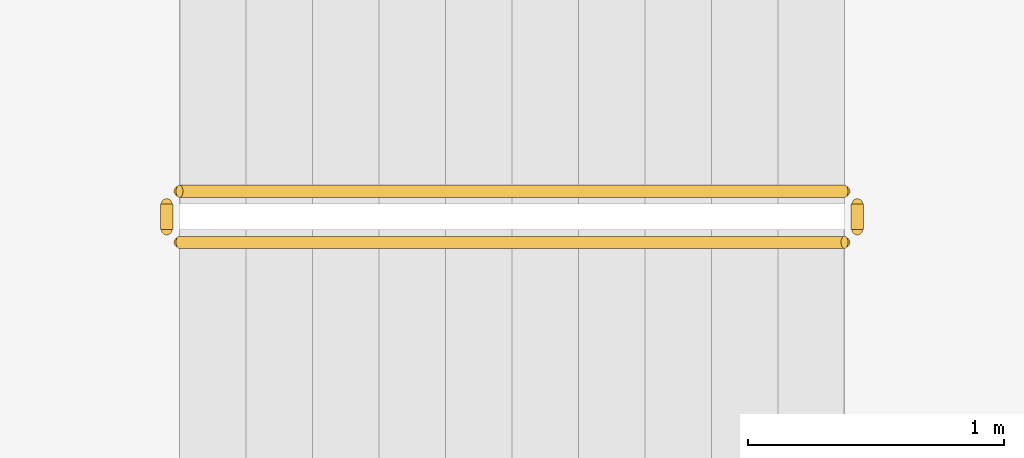
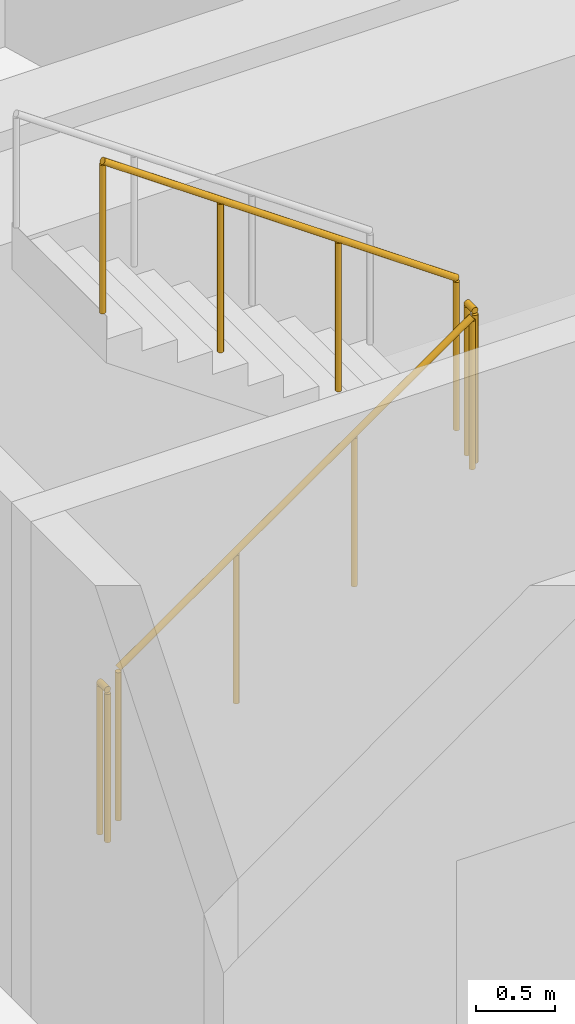
# One storey, part 19 of 23: 4 railings.
"""IFC4 building model written with IfcOpenShell, lengths in metres."""

from ifc_helpers import new_model, si_unit, direction, frame, origin, origin_2d, place, context, subcontext, project, spatial, circle, extrude, material, type_object, element, save


model = new_model("IFC4")

# Units and contexts
model_context = context("Model", 3, precision=1e-05, world=origin(), true_north=direction((0.0, 1.0)))
body_context = subcontext(model_context, "Body", "Model", "MODEL_VIEW")
ifc_project = project(units=[si_unit("LENGTHUNIT", "METRE"), si_unit("AREAUNIT", "SQUARE_METRE"), si_unit("VOLUMEUNIT", "CUBIC_METRE"), si_unit("PLANEANGLEUNIT", "RADIAN"), si_unit("MASSUNIT", "GRAM", prefix="KILO")], contexts=[model_context])

# Site, building, storey
site_placement = place(None, origin())
site = spatial("IfcSite", under=ifc_project, at=site_placement, CompositionType="ELEMENT")
building_placement = place(site_placement, origin())
building = spatial("IfcBuilding", under=site, at=building_placement, Name="Sahrelin Media Tower", CompositionType="ELEMENT")
storey_placement = place(building_placement, frame((0.0, 0.0, 157.60009765625)))
storey = spatial("IfcBuildingStorey", under=building, at=storey_placement, Name="L32", CompositionType="ELEMENT", Elevation=157.60009765625)

# Railings
ifc_material = material(Name="Steel S355", Category="steel")
railing_type = type_object("IfcRailingType", Name="Stair guard 1200", PredefinedType="GUARDRAIL", material=ifc_material)
railing_1_placement = place(storey_placement, frame((-7.675048828125, 5.25, 0.181640625)))
element("IfcRailing", 1, at=railing_1_placement, inside=storey, type_object=railing_type, Name="L32 ST1 stair guard 1", PredefinedType="GUARDRAIL", context=body_context, shape_type="SweptSolid", body=[
    extrude(circle(Radius=0.02392578125, at=origin_2d()), frame((0.0, 0.0, 1.17578125), z_axis=(0.819484887739, 0.0, 0.573100792852), x_axis=(0.0, 1.0, 0.0)), (0.0, 0.0, 1.0), 3.1728515625),
    extrude(circle(Radius=0.02099609375, at=origin_2d()), origin(), (0.0, 0.0, 1.0), 1.15185546875),
    extrude(circle(Radius=0.02099609375, at=origin_2d()), frame((0.86669921875, 0.0, 0.606201171875)), (0.0, 0.0, 1.0), 1.15185546875),
    extrude(circle(Radius=0.02099609375, at=origin_2d()), frame((1.7333984375, 0.0, 1.212158203125)), (0.0, 0.0, 1.0), 1.15185546875),
    extrude(circle(Radius=0.02099609375, at=origin_2d()), frame((2.60009765625, 0.0, 1.818359375)), (0.0, 0.0, 1.0), 1.15185546875),
])
railing_2_placement = place(storey_placement, frame((-5.02490234375, 5.300048828125, 2.0)))
element("IfcRailing", 2, at=railing_2_placement, inside=storey, type_object=railing_type, Name="L32 ST1 stair guard 2", PredefinedType="GUARDRAIL", context=body_context, shape_type="SweptSolid", body=[
    extrude(circle(Radius=0.02392578125, at=origin_2d()), frame((0.0, 0.0, 1.17578125), z_axis=(0.0, 1.0, 0.0), x_axis=(-1.0, 0.0, 0.0)), (0.0, 0.0, 1.0), 0.099853515625),
    extrude(circle(Radius=0.02099609375, at=origin_2d()), origin(), (0.0, 0.0, 1.0), 1.15185546875),
    extrude(circle(Radius=0.02099609375, at=origin_2d()), frame((0.0, 0.099853515625, 0.0)), (0.0, 0.0, 1.0), 1.15185546875),
])
railing_3_placement = place(storey_placement, frame((-5.074951171875, 5.449951171875, 2.181640625)))
element("IfcRailing", 3, at=railing_3_placement, inside=storey, type_object=railing_type, Name="L32 ST1 stair guard 3", PredefinedType="GUARDRAIL", context=body_context, shape_type="SweptSolid", body=[
    extrude(circle(Radius=0.02392578125, at=origin_2d()), frame((0.0, 0.0, 1.17578125), z_axis=(-0.819484887739, 0.0, 0.573100792852), x_axis=(0.0, -1.0, 0.0)), (0.0, 0.0, 1.0), 3.1728515625),
    extrude(circle(Radius=0.02099609375, at=origin_2d()), origin(), (0.0, 0.0, 1.0), 1.15185546875),
    extrude(circle(Radius=0.02099609375, at=origin_2d()), frame((-0.86669921875, 0.0, 0.606201171875)), (0.0, 0.0, 1.0), 1.15185546875),
    extrude(circle(Radius=0.02099609375, at=origin_2d()), frame((-1.7333984375, 0.0, 1.212158203125)), (0.0, 0.0, 1.0), 1.15185546875),
    extrude(circle(Radius=0.02099609375, at=origin_2d()), frame((-2.60009765625, 0.0, 1.818359375)), (0.0, 0.0, 1.0), 1.15185546875),
])
railing_4_placement = place(storey_placement, frame((-7.72509765625, 5.300048828125, 0.0)))
element("IfcRailing", 4, at=railing_4_placement, inside=storey, type_object=railing_type, Name="L32 ST1 stair guard 4", PredefinedType="GUARDRAIL", context=body_context, shape_type="SweptSolid", body=[
    extrude(circle(Radius=0.02392578125, at=origin_2d()), frame((0.0, 0.0, 1.17578125), z_axis=(0.0, 1.0, 0.0), x_axis=(-1.0, 0.0, 0.0)), (0.0, 0.0, 1.0), 0.099853515625),
    extrude(circle(Radius=0.02099609375, at=origin_2d()), origin(), (0.0, 0.0, 1.0), 1.15185546875),
    extrude(circle(Radius=0.02099609375, at=origin_2d()), frame((0.0, 0.099853515625, 0.0)), (0.0, 0.0, 1.0), 1.15185546875),
])

save(model, "model.ifc")
